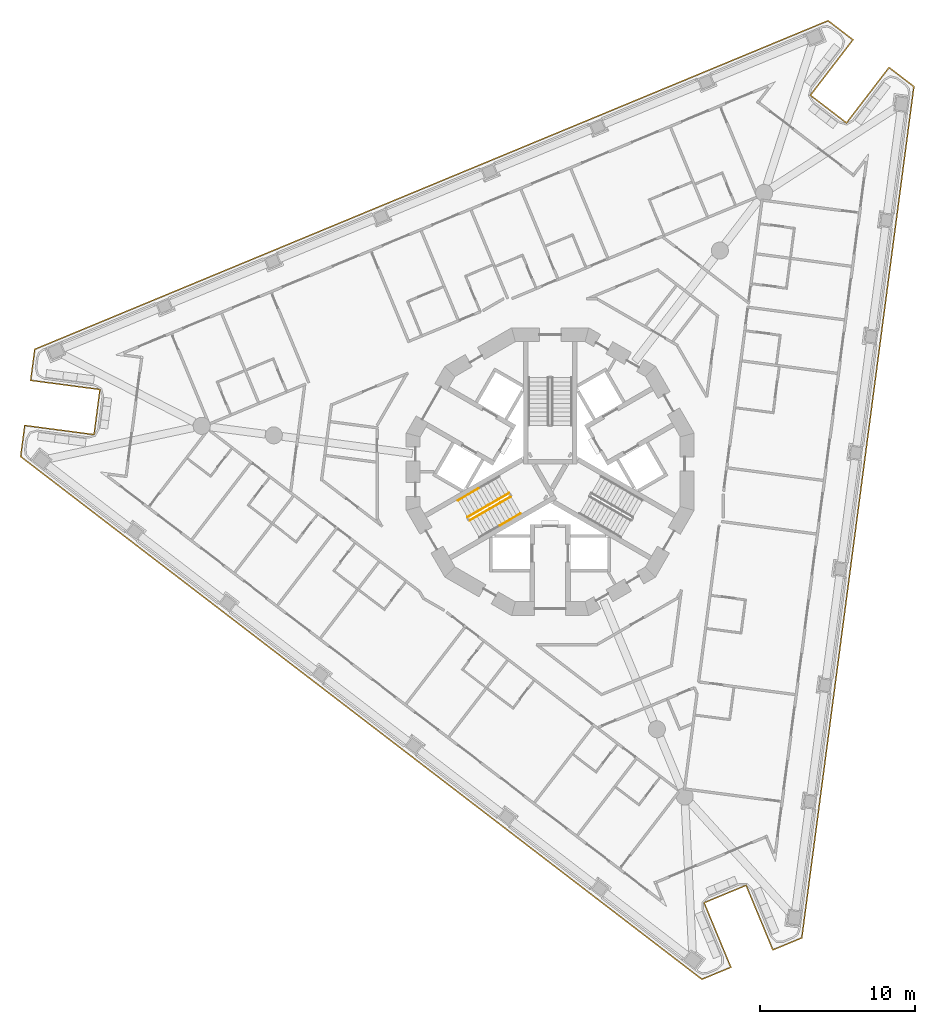
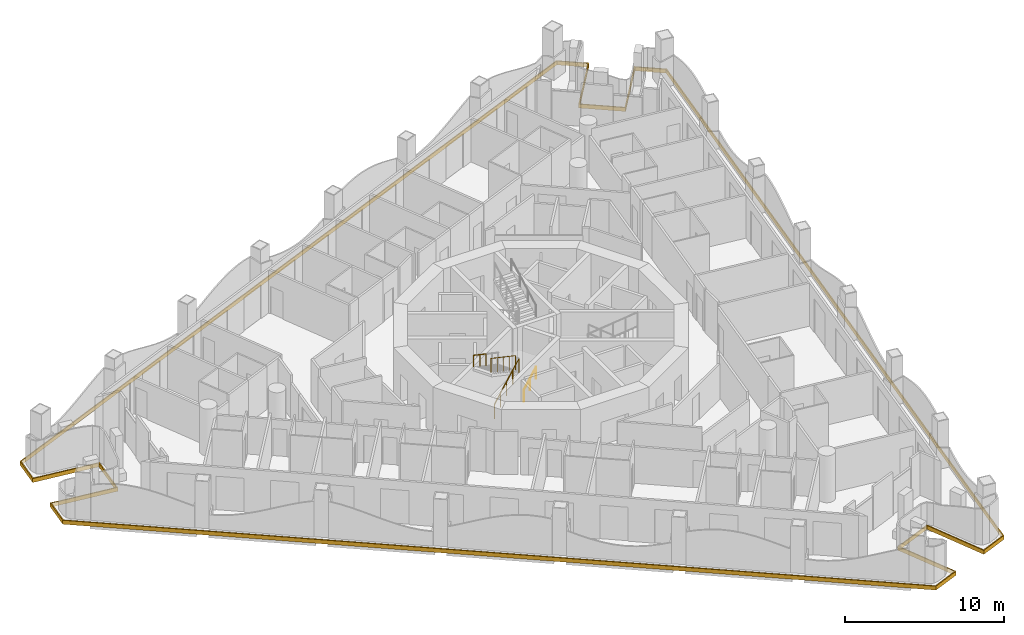
# One storey, part 13 of 18: 4 railings, 1 covering.
"""IFC4 building model written with IfcOpenShell, lengths in metres."""

from ifc_helpers import new_model, si_unit, direction, frame, origin, origin_2d, place, context, subcontext, project, spatial, polyline, circle, outline, extrude, material, layer, layer_set, type_object, element, save


model = new_model("IFC4")

# Units and contexts
model_context = context("Model", 3, precision=1e-05, world=origin(), true_north=direction((0.0, 1.0)))
body_context = subcontext(model_context, "Body", "Model", "MODEL_VIEW")
ifc_project = project(units=[si_unit("LENGTHUNIT", "METRE"), si_unit("AREAUNIT", "SQUARE_METRE"), si_unit("VOLUMEUNIT", "CUBIC_METRE"), si_unit("PLANEANGLEUNIT", "RADIAN"), si_unit("MASSUNIT", "GRAM", prefix="KILO")], contexts=[model_context])

# Site, building, storey
site_placement = place(None, origin())
site = spatial("IfcSite", under=ifc_project, at=site_placement, CompositionType="ELEMENT")
building_placement = place(site_placement, origin())
building = spatial("IfcBuilding", under=site, at=building_placement, Name="Trine Commons Tower", CompositionType="ELEMENT")
storey_placement = place(building_placement, frame((0.0, 0.0, 142.199951171875)))
storey = spatial("IfcBuildingStorey", under=building, at=storey_placement, Name="L36", CompositionType="ELEMENT", Elevation=142.199951171875)

# Covering
ifc_material_1 = material(Name="Limestone, honed", Category="masonry")
ifc_layer = layer(ifc_material_1, 0.074951171875)
ifc_layer_set = layer_set([ifc_layer], Name="Limestone, honed")
covering_type = type_object("IfcCoveringType", Name="Limestone spandrel panel 75", PredefinedType="CLADDING", material=ifc_layer_set)
covering_placement = place(storey_placement, frame((0.0, 0.0, -0.300048828125)))
element("IfcCovering", 1, at=covering_placement, inside=storey, type_object=covering_type, Name="Limestone spandrel panel 4-01", PredefinedType="CLADDING", context=body_context, shape_type="SweptSolid", body=[
    extrude(outline(polyline([(92.5986328125, 35.80810546875), (94.32080078125, 31.650634765625), (96.24462890625, 32.447509765625), (103.46923828125, 87.32421875), (101.817138671875, 88.591796875), (99.07763671875, 85.021728515625), (96.816650390625, 86.756591796875), (99.55615234375, 90.326904296875), (97.904052734375, 91.594482421875), (46.76708984375, 70.412841796875), (46.495361328125, 68.348388671875), (50.956787109375, 67.760986328125), (50.584716796875, 64.935302734375), (46.123291015625, 65.522705078125), (45.8515625, 63.4580078125), (89.763671875, 29.762939453125), (91.6875, 30.559814453125), (89.965576171875, 34.71728515625), (92.5986328125, 35.80810546875)]), holes=[polyline([(101.8310546875, 88.48681640625), (103.38916015625, 87.291015625), (96.17578125, 32.500244140625), (94.361328125, 31.74853515625), (92.63916015625, 35.906005859375), (89.867431640625, 34.758056640625), (91.589599609375, 30.6005859375), (89.77490234375, 29.848876953125), (45.931396484375, 63.4912109375), (46.187744140625, 65.4384765625), (50.6494140625, 64.85107421875), (51.041015625, 67.825439453125), (46.579345703125, 68.412841796875), (46.835693359375, 70.360107421875), (97.892578125, 91.508544921875), (99.450927734375, 90.31298828125), (96.71142578125, 86.742919921875), (99.091552734375, 84.91650390625), (101.8310546875, 88.48681640625)])]), origin(), (0.0, 0.0, 1.0), 0.300048828125),
])

# Railings
ifc_material_2 = material(Name="Stainless steel balustrade", Category="steel")
railing_type_1 = type_object("IfcRailingType", Name="Stair guard, steel balustrade 1100", PredefinedType="GUARDRAIL", material=ifc_material_2)
railing_1_placement = place(storey_placement, frame((74.80517578125, 59.3564453125, 0.150146484375)))
element("IfcRailing", 2, at=railing_1_placement, inside=storey, type_object=railing_type_1, Name="L36 ST2B stair guard 1", PredefinedType="GUARDRAIL", context=body_context, shape_type="SweptSolid", body=[
    extrude(circle(Radius=0.02392578125, at=origin_2d()), frame((0.0, 0.0, 1.076171875), z_axis=(0.76340495495, 0.440743040072, 0.472184759798), x_axis=(-0.499992328818, 0.866029832698, 0.0)), (0.0, 0.0, 1.0), 3.494140625),
    extrude(circle(Radius=0.02099609375, at=origin_2d()), origin(), (0.0, 0.0, 1.0), 1.052001953125),
    extrude(circle(Radius=0.02099609375, at=origin_2d()), frame((0.6669921875, 0.385009765625, 0.41259765625)), (0.0, 0.0, 1.0), 1.052001953125),
    extrude(circle(Radius=0.02099609375, at=origin_2d()), frame((1.333740234375, 0.77001953125, 0.824951171875)), (0.0, 0.0, 1.0), 1.052001953125),
    extrude(circle(Radius=0.02099609375, at=origin_2d()), frame((2.00048828125, 1.155029296875, 1.2373046875)), (0.0, 0.0, 1.0), 1.052001953125),
    extrude(circle(Radius=0.02099609375, at=origin_2d()), frame((2.66748046875, 1.5400390625, 1.64990234375)), (0.0, 0.0, 1.0), 1.052001953125),
])
railing_2_placement = place(storey_placement, frame((77.34765625, 61.113037109375, 1.949951171875)))
element("IfcRailing", 3, at=railing_2_placement, inside=storey, type_object=railing_type_1, Name="L36 ST2B stair guard 3", PredefinedType="GUARDRAIL", context=body_context, shape_type="SweptSolid", body=[
    extrude(circle(Radius=0.02392578125, at=origin_2d()), frame((0.0, 0.0, 1.076171875), z_axis=(-0.763379768245, -0.440728498818, 0.472239049384), x_axis=(0.499992328818, -0.866029832698, 0.0)), (0.0, 0.0, 1.0), 3.494384765625),
    extrude(circle(Radius=0.02099609375, at=origin_2d()), origin(), (0.0, 0.0, 1.0), 1.052001953125),
    extrude(circle(Radius=0.02099609375, at=origin_2d()), frame((-0.6669921875, -0.385009765625, 0.41259765625)), (0.0, 0.0, 1.0), 1.052001953125),
    extrude(circle(Radius=0.02099609375, at=origin_2d()), frame((-1.333740234375, -0.77001953125, 0.8251953125)), (0.0, 0.0, 1.0), 1.052001953125),
    extrude(circle(Radius=0.02099609375, at=origin_2d()), frame((-2.00048828125, -1.155029296875, 1.237548828125)), (0.0, 0.0, 1.0), 1.052001953125),
    extrude(circle(Radius=0.02099609375, at=origin_2d()), frame((-2.66748046875, -1.5400390625, 1.650146484375)), (0.0, 0.0, 1.0), 1.052001953125),
])
ifc_material_3 = material(Name="Stainless steel handrail", Category="steel")
railing_type_2 = type_object("IfcRailingType", Name="Stair handrail, steel 900", PredefinedType="HANDRAIL", material=ifc_material_3)
railing_3_placement = place(storey_placement, frame((76.763916015625, 59.0439453125, 0.97509765625)))
element("IfcRailing", 4, at=railing_3_placement, inside=storey, type_object=railing_type_2, Name="L36 ST2B stair handrail 2", PredefinedType="HANDRAIL", context=body_context, shape_type="SweptSolid", body=[
    extrude(circle(Radius=0.02099609375, at=origin_2d()), frame((0.0, 0.0, 0.87890625), z_axis=(0.76340495495, 0.440743040072, 0.472184759798), x_axis=(-0.499992328818, 0.866029832698, 0.0)), (0.0, 0.0, 1.0), 1.7470703125),
    extrude(circle(Radius=0.01513671875, at=origin_2d()), origin(), (0.0, 0.0, 1.0), 0.85791015625),
    extrude(circle(Radius=0.01513671875, at=origin_2d()), frame((0.6669921875, 0.385009765625, 0.41259765625)), (0.0, 0.0, 1.0), 0.85791015625),
    extrude(circle(Radius=0.01513671875, at=origin_2d()), frame((1.333740234375, 0.77001953125, 0.824951171875)), (0.0, 0.0, 1.0), 0.85791015625),
])
railing_4_placement = place(storey_placement, frame((75.388916015625, 61.425537109375, 2.775146484375)))
element("IfcRailing", 5, at=railing_4_placement, inside=storey, type_object=railing_type_2, Name="L36 ST2B stair handrail 4", PredefinedType="HANDRAIL", context=body_context, shape_type="SweptSolid", body=[
    extrude(circle(Radius=0.02099609375, at=origin_2d()), frame((0.0, 0.0, 0.87890625), z_axis=(-0.76340495495, -0.440743040072, 0.472184759798), x_axis=(0.499992328818, -0.866029832698, 0.0)), (0.0, 0.0, 1.0), 1.7470703125),
    extrude(circle(Radius=0.01513671875, at=origin_2d()), origin(), (0.0, 0.0, 1.0), 0.85791015625),
    extrude(circle(Radius=0.01513671875, at=origin_2d()), frame((-0.6669921875, -0.385009765625, 0.41259765625)), (0.0, 0.0, 1.0), 0.85791015625),
    extrude(circle(Radius=0.01513671875, at=origin_2d()), frame((-1.333740234375, -0.77001953125, 0.824951171875)), (0.0, 0.0, 1.0), 0.85791015625),
])

save(model, "model.ifc")
